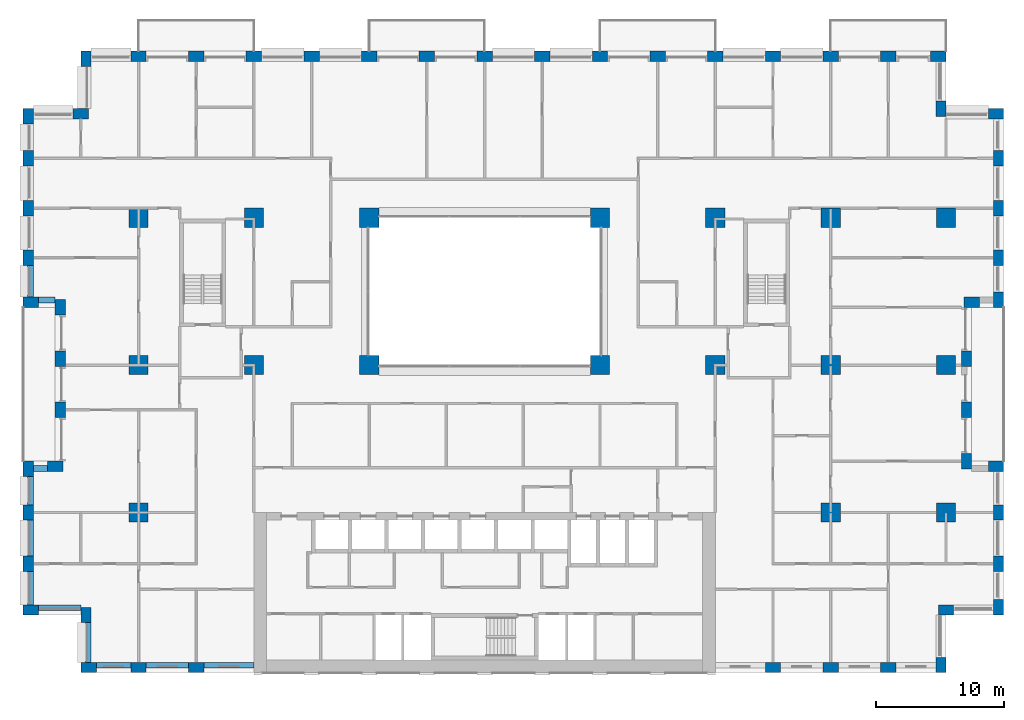
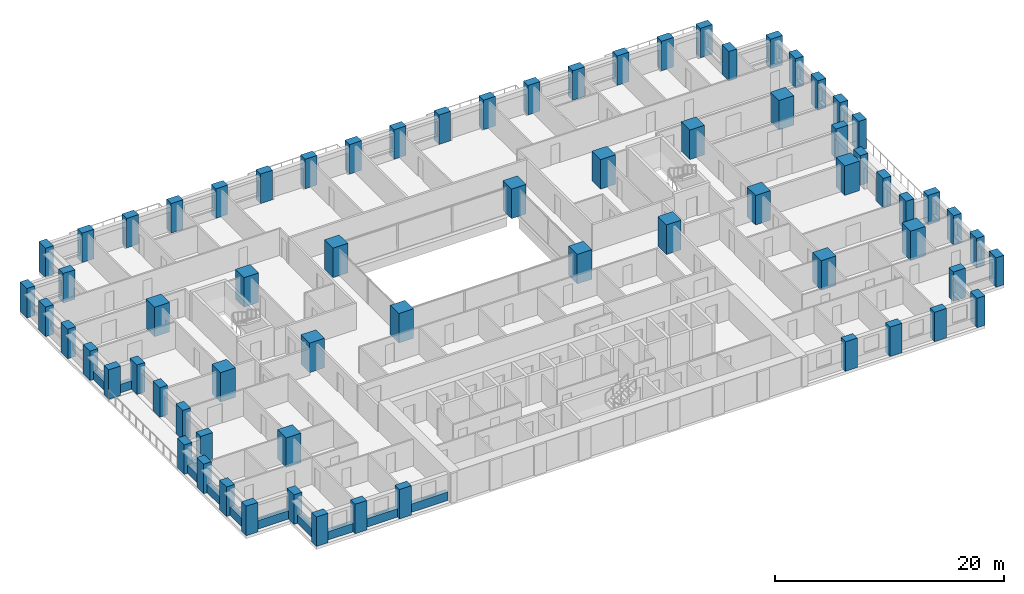
# One storey, part 1 of 19: 70 columns, 11 beams.
"""IFC4 building model written with IfcOpenShell, lengths in metres."""

from ifc_helpers import new_model, si_unit, direction, frame, origin, origin_2d, place, context, subcontext, project, spatial, rectangle, extrude, material, material_profile, profile_set, type_object, element, save


model = new_model("IFC4")

# Units and contexts
model_context = context("Model", 3, precision=1e-05, world=origin(), true_north=direction((0.0, 1.0)))
body_context = subcontext(model_context, "Body", "Model", "MODEL_VIEW")
ifc_project = project(units=[si_unit("LENGTHUNIT", "METRE"), si_unit("AREAUNIT", "SQUARE_METRE"), si_unit("VOLUMEUNIT", "CUBIC_METRE"), si_unit("PLANEANGLEUNIT", "RADIAN"), si_unit("MASSUNIT", "GRAM", prefix="KILO")], contexts=[model_context])

# Site, building, storey
site_placement = place(None, origin())
site = spatial("IfcSite", under=ifc_project, at=site_placement, CompositionType="ELEMENT")
building_placement = place(site_placement, origin())
building = spatial("IfcBuilding", under=site, at=building_placement, Name="Brigalow Station Residences", CompositionType="ELEMENT")
storey_placement = place(building_placement, frame((0.0, 0.0, 22.64990234375)))
storey = spatial("IfcBuildingStorey", under=building, at=storey_placement, Name="L05", CompositionType="ELEMENT", Elevation=22.64990234375)

# Columns
ifc_material_1 = material(Name="Concrete C80", Category="concrete")
ifc_material_profile_1 = material_profile(ifc_material_1, rectangle(XDim=1.5, YDim=1.5, at=origin_2d()), Name="RC1500x1500")
ifc_profile_set_1 = profile_set([ifc_material_profile_1], Name="Concrete C80")
column_type_1 = type_object("IfcColumnType", Name="COLUMN 1500x1500 C80", PredefinedType="COLUMN", material=ifc_profile_set_1)
for number, where, z_axis, x_axis, name in (
    (1, (9.0, 24.0, 0.0), (0.0, 0.0, 1.0), (1.0, 0.0, 0.0), "COLUMN C1 L05"),
    (2, (18.0, 24.0, 0.0), (0.0, 0.0, 1.0), (1.0, 0.0, 0.0), "COLUMN C2 L05"),
    (3, (27.0, 24.0, 0.0), (0.0, 0.0, 1.0), (1.0, 0.0, 0.0), "COLUMN C3 L05"),
    (4, (45.0, 24.0, 0.0), (0.0, 0.0, 1.0), (1.0, 0.0, 0.0), "COLUMN C5 L05"),
    (5, (54.0, 24.0, 0.0), (0.0, 0.0, 1.0), (1.0, 0.0, 0.0), "COLUMN C6 L05"),
    (6, (63.0, 24.0, 0.0), (0.0, 0.0, 1.0), (1.0, 0.0, 0.0), "COLUMN C7 L05"),
    (7, (72.0, 24.0, 0.0), (0.0, 0.0, 1.0), (1.0, 0.0, 0.0), "COLUMN C8 L05"),
    (8, (9.0, 35.5, 0.0), (0.0, 0.0, 1.0), (1.0, 0.0, 0.0), "COLUMN D1 L05"),
    (9, (18.0, 35.5, 0.0), (0.0, 0.0, 1.0), (1.0, 0.0, 0.0), "COLUMN D2 L05"),
    (10, (27.0, 35.5, 0.0), (0.0, 0.0, 1.0), (1.0, 0.0, 0.0), "COLUMN D3 L05"),
    (11, (45.0, 35.5, 0.0), (0.0, 0.0, 1.0), (1.0, 0.0, 0.0), "COLUMN D5 L05"),
    (12, (54.0, 35.5, 0.0), (0.0, 0.0, 1.0), (1.0, 0.0, 0.0), "COLUMN D6 L05"),
    (13, (63.0, 35.5, 0.0), (0.0, 0.0, 1.0), (1.0, 0.0, 0.0), "COLUMN D7 L05"),
    (14, (72.0, 35.5, 0.0), (0.0, 0.0, 1.0), (1.0, 0.0, 0.0), "COLUMN D8 L05"),
    (15, (9.0, 12.5, 0.0), (0.0, 0.0, 1.0), (1.0, 0.0, 0.0), "COLUMN B1 L05"),
    (16, (63.0, 12.5, 0.0), (0.0, 0.0, 1.0), (1.0, 0.0, 0.0), "COLUMN B7 L05"),
    (17, (72.0, 12.5, 0.0), (0.0, 0.0, 1.0), (1.0, 0.0, 0.0), "COLUMN B8 L05"),
):
    element("IfcColumn", number, at=place(storey_placement, frame(where, z_axis=z_axis, x_axis=x_axis)), inside=storey, type_object=column_type_1, Name=name, PredefinedType="COLUMN", context=body_context, shape_type="SweptSolid", body=[
        extrude(rectangle(XDim=1.5, YDim=1.5, at=origin_2d()), origin(), (0.0, 0.0, 1.0), 3.150146484375),
    ])
ifc_material_2 = material(Name="Concrete C80", Category="concrete")
ifc_material_profile_2 = material_profile(ifc_material_2, rectangle(XDim=1.199951171875, YDim=0.800048828125, at=origin_2d()), Name="RC1200x800")
ifc_profile_set_2 = profile_set([ifc_material_profile_2], Name="Concrete C80")
column_type_2 = type_object("IfcColumnType", Name="PIER 1200x800 C80", PredefinedType="USERDEFINED", material=ifc_profile_set_2)
for number, where, z_axis, x_axis, name in (
    (18, (5.10009765625, 0.39990234375, 0.0), (0.0, 0.0, 1.0), (1.0, 0.0, 0.0), "PIER S-1 L05"),
    (19, (9.0, 0.39990234375, 0.0), (0.0, 0.0, 1.0), (1.0, 0.0, 0.0), "PIER S-2 L05"),
    (20, (13.5, 0.39990234375, 0.0), (0.0, 0.0, 1.0), (1.0, 0.0, 0.0), "PIER S-3 L05"),
    (21, (58.5, 0.39990234375, 0.0), (0.0, 0.0, 1.0), (1.0, 0.0, 0.0), "PIER S-13 L05"),
    (22, (63.0, 0.39990234375, 0.0), (0.0, 0.0, 1.0), (1.0, 0.0, 0.0), "PIER S-14 L05"),
    (23, (67.5, 0.39990234375, 0.0), (0.0, 0.0, 1.0), (1.0, 0.0, 0.0), "PIER S-15 L05"),
    (24, (71.60009765625, 0.60009765625, 0.0), (0.0, 0.0, 1.0), (0.0, 1.0, 0.0), "PIER SE1-1 L05"),
    (25, (72.0, 4.89990234375, 0.0), (0.0, 0.0, 1.0), (1.0, 0.0, 0.0), "PIER SE2-1 L05"),
    (26, (76.10009765625, 5.10009765625, 0.0), (0.0, 0.0, 1.0), (0.0, 1.0, 0.0), "PIER E1-1 L05"),
    (27, (76.10009765625, 8.5, 0.0), (0.0, 0.0, 1.0), (0.0, 1.0, 0.0), "PIER E1-2 L05"),
    (28, (76.10009765625, 12.5, 0.0), (0.0, 0.0, 1.0), (0.0, 1.0, 0.0), "PIER E1-3 L05"),
    (29, (75.89990234375, 16.10009765625, 0.0), (0.0, 0.0, 1.0), (-1.0, 0.0, 0.0), "PIER EL1-1 L05"),
    (30, (73.60009765625, 16.5, 0.0), (0.0, 0.0, 1.0), (0.0, 1.0, 0.0), "PIER EL2-1 L05"),
    (31, (73.60009765625, 20.5, 0.0), (0.0, 0.0, 1.0), (0.0, 1.0, 0.0), "PIER EL2-2 L05"),
    (32, (73.60009765625, 24.5, 0.0), (0.0, 0.0, 1.0), (0.0, 1.0, 0.0), "PIER EL2-3 L05"),
    (33, (74.0, 28.89990234375, 0.0), (0.0, 0.0, 1.0), (1.0, 0.0, 0.0), "PIER EL3-1 L05"),
    (34, (76.10009765625, 29.10009765625, 0.0), (0.0, 0.0, 1.0), (0.0, 1.0, 0.0), "PIER E2-1 L05"),
    (35, (76.10009765625, 32.375, 0.0), (0.0, 0.0, 1.0), (0.0, 1.0, 0.0), "PIER E2-2 L05"),
    (36, (76.10009765625, 36.25, 0.0), (0.0, 0.0, 1.0), (0.0, 1.0, 0.0), "PIER E2-3 L05"),
    (37, (76.10009765625, 40.125, 0.0), (0.0, 0.0, 1.0), (0.0, 1.0, 0.0), "PIER E2-4 L05"),
    (38, (75.89990234375, 43.60009765625, 0.0), (0.0, 0.0, 1.0), (-1.0, 0.0, 0.0), "PIER NE1-1 L05"),
    (39, (71.60009765625, 44.0, 0.0), (0.0, 0.0, 1.0), (0.0, 1.0, 0.0), "PIER NE2-1 L05"),
    (40, (71.39990234375, 48.10009765625, 0.0), (0.0, 0.0, 1.0), (-1.0, 0.0, 0.0), "PIER N-1 L05"),
    (41, (67.5, 48.10009765625, 0.0), (0.0, 0.0, 1.0), (-1.0, 0.0, 0.0), "PIER N-2 L05"),
    (42, (63.0, 48.10009765625, 0.0), (0.0, 0.0, 1.0), (-1.0, 0.0, 0.0), "PIER N-3 L05"),
    (43, (58.5, 48.10009765625, 0.0), (0.0, 0.0, 1.0), (-1.0, 0.0, 0.0), "PIER N-4 L05"),
    (44, (54.0, 48.10009765625, 0.0), (0.0, 0.0, 1.0), (-1.0, 0.0, 0.0), "PIER N-5 L05"),
    (45, (49.5, 48.10009765625, 0.0), (0.0, 0.0, 1.0), (-1.0, 0.0, 0.0), "PIER N-6 L05"),
    (46, (45.0, 48.10009765625, 0.0), (0.0, 0.0, 1.0), (-1.0, 0.0, 0.0), "PIER N-7 L05"),
    (47, (40.5, 48.10009765625, 0.0), (0.0, 0.0, 1.0), (-1.0, 0.0, 0.0), "PIER N-8 L05"),
    (48, (36.0, 48.10009765625, 0.0), (0.0, 0.0, 1.0), (-1.0, 0.0, 0.0), "PIER N-9 L05"),
    (49, (31.5, 48.10009765625, 0.0), (0.0, 0.0, 1.0), (-1.0, 0.0, 0.0), "PIER N-10 L05"),
    (50, (27.0, 48.10009765625, 0.0), (0.0, 0.0, 1.0), (-1.0, 0.0, 0.0), "PIER N-11 L05"),
    (51, (22.5, 48.10009765625, 0.0), (0.0, 0.0, 1.0), (-1.0, 0.0, 0.0), "PIER N-12 L05"),
    (52, (18.0, 48.10009765625, 0.0), (0.0, 0.0, 1.0), (-1.0, 0.0, 0.0), "PIER N-13 L05"),
    (53, (13.5, 48.10009765625, 0.0), (0.0, 0.0, 1.0), (-1.0, 0.0, 0.0), "PIER N-14 L05"),
    (54, (9.0, 48.10009765625, 0.0), (0.0, 0.0, 1.0), (-1.0, 0.0, 0.0), "PIER N-15 L05"),
    (55, (4.89990234375, 47.89990234375, 0.0), (0.0, 0.0, 1.0), (0.0, -1.0, 0.0), "PIER NW1-1 L05"),
    (56, (4.5, 43.60009765625, 0.0), (0.0, 0.0, 1.0), (-1.0, 0.0, 0.0), "PIER NW2-1 L05"),
    (57, (0.39990234375, 43.39990234375, 0.0), (0.0, 0.0, 1.0), (0.0, -1.0, 0.0), "PIER W2-1 L05"),
    (58, (0.39990234375, 40.125, 0.0), (0.0, 0.0, 1.0), (0.0, -1.0, 0.0), "PIER W2-2 L05"),
    (59, (0.39990234375, 36.25, 0.0), (0.0, 0.0, 1.0), (0.0, -1.0, 0.0), "PIER W2-3 L05"),
    (60, (0.39990234375, 32.375, 0.0), (0.0, 0.0, 1.0), (0.0, -1.0, 0.0), "PIER W2-4 L05"),
    (61, (0.60009765625, 28.89990234375, 0.0), (0.0, 0.0, 1.0), (1.0, 0.0, 0.0), "PIER WL1-1 L05"),
    (62, (2.89990234375, 28.5, 0.0), (0.0, 0.0, 1.0), (0.0, -1.0, 0.0), "PIER WL2-1 L05"),
    (63, (2.89990234375, 24.5, 0.0), (0.0, 0.0, 1.0), (0.0, -1.0, 0.0), "PIER WL2-2 L05"),
    (64, (2.89990234375, 20.5, 0.0), (0.0, 0.0, 1.0), (0.0, -1.0, 0.0), "PIER WL2-3 L05"),
    (65, (2.5, 16.10009765625, 0.0), (0.0, 0.0, 1.0), (-1.0, 0.0, 0.0), "PIER WL3-1 L05"),
    (66, (0.39990234375, 15.89990234375, 0.0), (0.0, 0.0, 1.0), (0.0, -1.0, 0.0), "PIER W1-1 L05"),
    (67, (0.39990234375, 12.5, 0.0), (0.0, 0.0, 1.0), (0.0, -1.0, 0.0), "PIER W1-2 L05"),
    (68, (0.39990234375, 8.5, 0.0), (0.0, 0.0, 1.0), (0.0, -1.0, 0.0), "PIER W1-3 L05"),
    (69, (0.60009765625, 4.89990234375, 0.0), (0.0, 0.0, 1.0), (1.0, 0.0, 0.0), "PIER SW1-1 L05"),
    (70, (4.89990234375, 4.5, 0.0), (0.0, 0.0, 1.0), (0.0, -1.0, 0.0), "PIER SW2-1 L05"),
):
    element("IfcColumn", number, at=place(storey_placement, frame(where, z_axis=z_axis, x_axis=x_axis)), inside=storey, type_object=column_type_2, Name=name, ObjectType="PIER", PredefinedType="USERDEFINED", context=body_context, shape_type="SweptSolid", body=[
        extrude(rectangle(XDim=1.199951171875, YDim=0.800048828125, at=origin_2d()), origin(), (0.0, 0.0, 1.0), 3.150146484375),
    ])

# Beams
ifc_material_3 = material(Name="Concrete C65", Category="concrete")
ifc_material_profile_3 = material_profile(ifc_material_3, rectangle(XDim=0.449951171875, YDim=0.89990234375, at=origin_2d()), Name="RC450x900")
ifc_profile_set_3 = profile_set([ifc_material_profile_3], Name="Concrete C65")
beam_type = type_object("IfcBeamType", Name="SPANDREL BEAM 450x900 C65", PredefinedType="SPANDREL", material=ifc_profile_set_3)
beam_1_placement = place(storey_placement, frame((5.699951171875, 0.574951171875, 0.4501953125), z_axis=(1.0, 0.0, 0.0), x_axis=(0.0, 1.0, 0.0)))
element("IfcBeam", 71, at=beam_1_placement, inside=storey, type_object=beam_type, Name="L05/spandrel/W-L05-1", PredefinedType="SPANDREL", context=body_context, shape_type="SweptSolid", body=[
    extrude(rectangle(XDim=0.449951171875, YDim=0.89990234375, at=origin_2d()), origin(), (0.0, 0.0, 1.0), 2.699951171875),
])
beam_2_placement = place(storey_placement, frame((9.60009765625, 0.574951171875, 0.4501953125), z_axis=(1.0, 0.0, 0.0), x_axis=(0.0, 1.0, 0.0)))
element("IfcBeam", 72, at=beam_2_placement, inside=storey, type_object=beam_type, Name="L05/spandrel/W-L05-2", PredefinedType="SPANDREL", context=body_context, shape_type="SweptSolid", body=[
    extrude(rectangle(XDim=0.449951171875, YDim=0.89990234375, at=origin_2d()), origin(), (0.0, 0.0, 1.0), 3.2998046875),
])
beam_3_placement = place(storey_placement, frame((14.10009765625, 0.574951171875, 0.4501953125), z_axis=(1.0, 0.0, 0.0), x_axis=(0.0, 1.0, 0.0)))
element("IfcBeam", 73, at=beam_3_placement, inside=storey, type_object=beam_type, Name="L05/spandrel/W-L05-3", PredefinedType="SPANDREL", context=body_context, shape_type="SweptSolid", body=[
    extrude(rectangle(XDim=0.449951171875, YDim=0.89990234375, at=origin_2d()), origin(), (0.0, 0.0, 1.0), 3.89990234375),
])
beam_4_placement = place(storey_placement, frame((0.574951171875, 31.77490234375, 0.4501953125), z_axis=(0.0, -1.0, 0.0), x_axis=(1.0, 0.0, 0.0)))
element("IfcBeam", 74, at=beam_4_placement, inside=storey, type_object=beam_type, Name="L05/spandrel/W-L05-45", PredefinedType="SPANDREL", context=body_context, shape_type="SweptSolid", body=[
    extrude(rectangle(XDim=0.449951171875, YDim=0.89990234375, at=origin_2d()), origin(), (0.0, 0.0, 1.0), 2.474853515625),
])
beam_5_placement = place(storey_placement, frame((1.199951171875, 29.074951171875, 0.4501953125), z_axis=(1.0, 0.0, 0.0), x_axis=(0.0, 1.0, 0.0)))
element("IfcBeam", 75, at=beam_5_placement, inside=storey, type_object=beam_type, Name="L05/spandrel/W-L05-46", PredefinedType="SPANDREL", context=body_context, shape_type="SweptSolid", body=[
    extrude(rectangle(XDim=0.449951171875, YDim=0.89990234375, at=origin_2d()), origin(), (0.0, 0.0, 1.0), 1.300048828125),
])
beam_6_placement = place(storey_placement, frame((1.89990234375, 15.925048828125, 0.4501953125), z_axis=(-1.0, 0.0, 0.0), x_axis=(0.0, -1.0, 0.0)))
element("IfcBeam", 76, at=beam_6_placement, inside=storey, type_object=beam_type, Name="L05/spandrel/W-L05-50", PredefinedType="SPANDREL", context=body_context, shape_type="SweptSolid", body=[
    extrude(rectangle(XDim=0.449951171875, YDim=0.89990234375, at=origin_2d()), origin(), (0.0, 0.0, 1.0), 1.099853515625),
])
beam_7_placement = place(storey_placement, frame((0.574951171875, 15.300048828125, 0.4501953125), z_axis=(0.0, -1.0, 0.0), x_axis=(1.0, 0.0, 0.0)))
element("IfcBeam", 77, at=beam_7_placement, inside=storey, type_object=beam_type, Name="L05/spandrel/W-L05-51", PredefinedType="SPANDREL", context=body_context, shape_type="SweptSolid", body=[
    extrude(rectangle(XDim=0.449951171875, YDim=0.89990234375, at=origin_2d()), origin(), (0.0, 0.0, 1.0), 2.199951171875),
])
beam_8_placement = place(storey_placement, frame((0.574951171875, 11.89990234375, 0.4501953125), z_axis=(0.0, -1.0, 0.0), x_axis=(1.0, 0.0, 0.0)))
element("IfcBeam", 78, at=beam_8_placement, inside=storey, type_object=beam_type, Name="L05/spandrel/W-L05-52", PredefinedType="SPANDREL", context=body_context, shape_type="SweptSolid", body=[
    extrude(rectangle(XDim=0.449951171875, YDim=0.89990234375, at=origin_2d()), origin(), (0.0, 0.0, 1.0), 2.7998046875),
])
beam_9_placement = place(storey_placement, frame((0.574951171875, 7.89990234375, 0.4501953125), z_axis=(0.0, -1.0, 0.0), x_axis=(1.0, 0.0, 0.0)))
element("IfcBeam", 79, at=beam_9_placement, inside=storey, type_object=beam_type, Name="L05/spandrel/W-L05-53", PredefinedType="SPANDREL", context=body_context, shape_type="SweptSolid", body=[
    extrude(rectangle(XDim=0.449951171875, YDim=0.89990234375, at=origin_2d()), origin(), (0.0, 0.0, 1.0), 2.599853515625),
])
beam_10_placement = place(storey_placement, frame((1.199951171875, 5.074951171875, 0.4501953125), z_axis=(1.0, 0.0, 0.0), x_axis=(0.0, 1.0, 0.0)))
element("IfcBeam", 80, at=beam_10_placement, inside=storey, type_object=beam_type, Name="L05/spandrel/W-L05-54", PredefinedType="SPANDREL", context=body_context, shape_type="SweptSolid", body=[
    extrude(rectangle(XDim=0.449951171875, YDim=0.89990234375, at=origin_2d()), origin(), (0.0, 0.0, 1.0), 3.300048828125),
])
beam_11_placement = place(storey_placement, frame((5.074951171875, 3.89990234375, 0.4501953125), z_axis=(0.0, -1.0, 0.0), x_axis=(1.0, 0.0, 0.0)))
element("IfcBeam", 81, at=beam_11_placement, inside=storey, type_object=beam_type, Name="L05/spandrel/W-L05-55", PredefinedType="SPANDREL", context=body_context, shape_type="SweptSolid", body=[
    extrude(rectangle(XDim=0.449951171875, YDim=0.89990234375, at=origin_2d()), origin(), (0.0, 0.0, 1.0), 3.099853515625),
])

save(model, "model.ifc")
